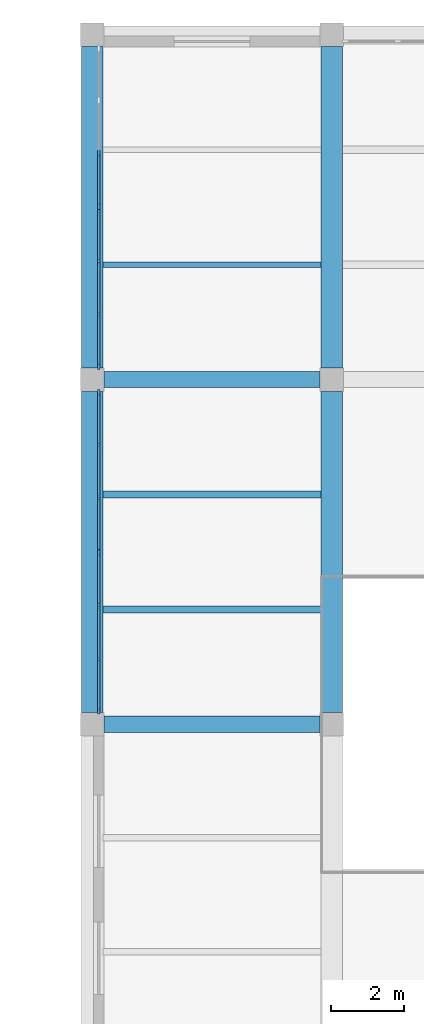
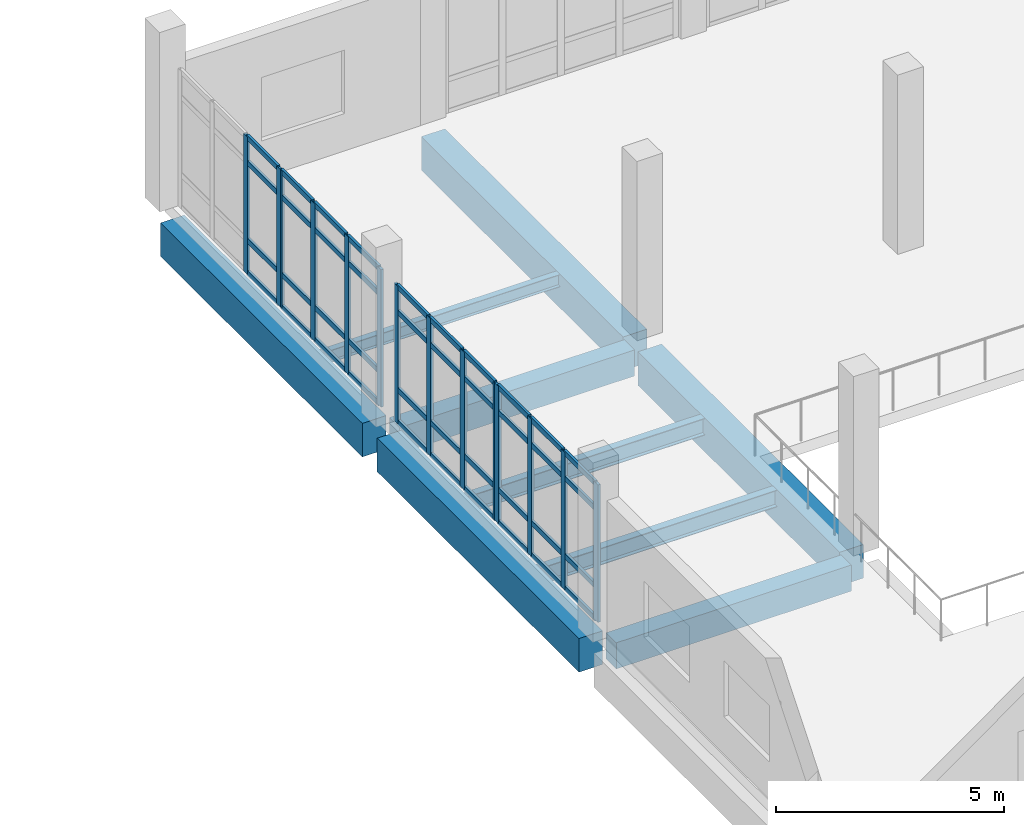
# One storey, part 28 of 73: 54 members, 9 beams, 4 elements without a shape of their own.
"""IFC4 building model written with IfcOpenShell, lengths in metres."""

from ifc_helpers import new_model, si_unit, direction, frame, origin, origin_2d, place, context, subcontext, project, spatial, rectangle, i_section, extrude, material, layer, layer_set, material_profile, profile_set, type_object, element, aggregate, save


model = new_model("IFC4")

# Units and contexts
model_context = context("Model", 3, precision=1e-05, world=origin(), true_north=direction((0.0, 1.0)))
body_context = subcontext(model_context, "Body", "Model", "MODEL_VIEW")
ifc_project = project(units=[si_unit("LENGTHUNIT", "METRE"), si_unit("AREAUNIT", "SQUARE_METRE"), si_unit("VOLUMEUNIT", "CUBIC_METRE"), si_unit("PLANEANGLEUNIT", "RADIAN"), si_unit("MASSUNIT", "GRAM", prefix="KILO")], contexts=[model_context])

# Site, building, storey
site_placement = place(None, origin())
site = spatial("IfcSite", under=ifc_project, at=site_placement, CompositionType="ELEMENT")
building_placement = place(site_placement, origin())
building = spatial("IfcBuilding", under=site, at=building_placement, Name="Kelarvand Opera House", CompositionType="ELEMENT")
storey_placement = place(building_placement, frame((0.0, 0.0, 10.199951171875)))
storey = spatial("IfcBuildingStorey", under=building, at=storey_placement, Name="L02", CompositionType="ELEMENT", Elevation=10.199951171875)

# Curtain wall, members
ifc_material_1 = material(Name="Thermally broken aluminium and low-E glazing", Category="aluminium")
ifc_layer = layer(ifc_material_1, 0.179931640625, Name="Thermally broken aluminium and low-E glazing", Category="aluminium")
ifc_layer_set = layer_set([ifc_layer], Name="Thermally broken aluminium and low-E glazing")
curtain_wall_type = type_object("IfcCurtainWallType", Name="Unitised Low-E Curtain Wall 4411x3680 Mod 1450 CWF-47", PredefinedType="USERDEFINED", material=ifc_layer_set)
curtain_wall_1_placement = place(storey_placement, origin())
curtain_wall_1 = element("IfcCurtainWall", 1, at=curtain_wall_1_placement, inside=storey, type_object=curtain_wall_type, Name="V5 L02 Curtain Wall CWF-47 (190)", ObjectType="UNITISED CURTAIN WALL", PredefinedType="USERDEFINED")
ifc_material_2 = material(Name="Thermally broken anodised aluminium", Category="aluminium")
ifc_material_profile_1 = material_profile(ifc_material_2, rectangle(XDim=0.06494140625, YDim=0.179931640625, at=origin_2d()), Name="ALU MULLION 65x180", Category="aluminium")
ifc_profile_set_1 = profile_set([ifc_material_profile_1], Name="Thermally broken anodised aluminium")
member_type_1 = type_object("IfcMemberType", Name="Curtain Wall Mullion 65x180 Aluminium", PredefinedType="MULLION", material=ifc_profile_set_1)
member_1_placement = place(storey_placement, frame((95.780029296875, 106.367431640625, 0.0), z_axis=(0.0, 0.0, 1.0), x_axis=(-1.0, 0.0, 0.0)))
member_1 = element("IfcMember", 2, at=member_1_placement, type_object=member_type_1, Name="CWF-47 mullion 1", PredefinedType="MULLION", context=body_context, shape_type="SweptSolid", body=[
    extrude(rectangle(XDim=0.06494140625, YDim=0.179931640625, at=origin_2d()), origin(), (0.0, 0.0, 1.0), 3.679931640625),
])
member_2_placement = place(storey_placement, frame((95.780029296875, 107.805419921875, 0.0), z_axis=(0.0, 0.0, 1.0), x_axis=(-1.0, 0.0, 0.0)))
member_2 = element("IfcMember", 3, at=member_2_placement, type_object=member_type_1, Name="CWF-47 mullion 2", PredefinedType="MULLION", context=body_context, shape_type="SweptSolid", body=[
    extrude(rectangle(XDim=0.06494140625, YDim=0.179931640625, at=origin_2d()), origin(), (0.0, 0.0, 1.0), 3.679931640625),
])
member_3_placement = place(storey_placement, frame((95.780029296875, 109.275634765625, 0.0), z_axis=(0.0, 0.0, 1.0), x_axis=(-1.0, 0.0, 0.0)))
member_3 = element("IfcMember", 4, at=member_3_placement, type_object=member_type_1, Name="CWF-47 mullion 3", PredefinedType="MULLION", context=body_context, shape_type="SweptSolid", body=[
    extrude(rectangle(XDim=0.06494140625, YDim=0.179931640625, at=origin_2d()), origin(), (0.0, 0.0, 1.0), 3.679931640625),
])
member_4_placement = place(storey_placement, frame((95.780029296875, 110.71337890625, 0.0), z_axis=(0.0, 0.0, 1.0), x_axis=(-1.0, 0.0, 0.0)))
member_4 = element("IfcMember", 5, at=member_4_placement, type_object=member_type_1, Name="CWF-47 mullion 4", PredefinedType="MULLION", context=body_context, shape_type="SweptSolid", body=[
    extrude(rectangle(XDim=0.06494140625, YDim=0.179931640625, at=origin_2d()), origin(), (0.0, 0.0, 1.0), 3.679931640625),
])

curtain_wall_2_placement = place(storey_placement, origin())
curtain_wall_2 = element("IfcCurtainWall", 6, at=curtain_wall_2_placement, inside=storey, type_object=curtain_wall_type, Name="V5 L02 Curtain Wall CWF-47 (191)", ObjectType="UNITISED CURTAIN WALL", PredefinedType="USERDEFINED")
member_5_placement = place(storey_placement, frame((95.780029296875, 110.782470703125, 0.0), z_axis=(0.0, 0.0, 1.0), x_axis=(-1.0, 0.0, 0.0)))
member_5 = element("IfcMember", 7, at=member_5_placement, type_object=member_type_1, Name="CWF-47 mullion 1", PredefinedType="MULLION", context=body_context, shape_type="SweptSolid", body=[
    extrude(rectangle(XDim=0.06494140625, YDim=0.179931640625, at=origin_2d()), origin(), (0.0, 0.0, 1.0), 3.679931640625),
])
member_6_placement = place(storey_placement, frame((95.780029296875, 112.2216796875, 0.0), z_axis=(0.0, 0.0, 1.0), x_axis=(-1.0, 0.0, 0.0)))
member_6 = element("IfcMember", 8, at=member_6_placement, type_object=member_type_1, Name="CWF-47 mullion 2", PredefinedType="MULLION", context=body_context, shape_type="SweptSolid", body=[
    extrude(rectangle(XDim=0.06494140625, YDim=0.179931640625, at=origin_2d()), origin(), (0.0, 0.0, 1.0), 3.679931640625),
])
member_7_placement = place(storey_placement, frame((95.780029296875, 113.693359375, 0.0), z_axis=(0.0, 0.0, 1.0), x_axis=(-1.0, 0.0, 0.0)))
member_7 = element("IfcMember", 9, at=member_7_placement, type_object=member_type_1, Name="CWF-47 mullion 3", PredefinedType="MULLION", context=body_context, shape_type="SweptSolid", body=[
    extrude(rectangle(XDim=0.06494140625, YDim=0.179931640625, at=origin_2d()), origin(), (0.0, 0.0, 1.0), 3.679931640625),
])
member_8_placement = place(storey_placement, frame((95.780029296875, 115.132568359375, 0.0), z_axis=(0.0, 0.0, 1.0), x_axis=(-1.0, 0.0, 0.0)))
member_8 = element("IfcMember", 10, at=member_8_placement, type_object=member_type_1, Name="CWF-47 mullion 4", PredefinedType="MULLION", context=body_context, shape_type="SweptSolid", body=[
    extrude(rectangle(XDim=0.06494140625, YDim=0.179931640625, at=origin_2d()), origin(), (0.0, 0.0, 1.0), 3.679931640625),
])

curtain_wall_3_placement = place(storey_placement, origin())
curtain_wall_3 = element("IfcCurtainWall", 11, at=curtain_wall_3_placement, inside=storey, type_object=curtain_wall_type, Name="V5 L02 Curtain Wall CWF-47 (192)", ObjectType="UNITISED CURTAIN WALL", PredefinedType="USERDEFINED")
member_9_placement = place(storey_placement, frame((95.780029296875, 115.867431640625, 0.0), z_axis=(0.0, 0.0, 1.0), x_axis=(-1.0, 0.0, 0.0)))
member_9 = element("IfcMember", 12, at=member_9_placement, type_object=member_type_1, Name="CWF-47 mullion 1", PredefinedType="MULLION", context=body_context, shape_type="SweptSolid", body=[
    extrude(rectangle(XDim=0.06494140625, YDim=0.179931640625, at=origin_2d()), origin(), (0.0, 0.0, 1.0), 3.679931640625),
])
member_10_placement = place(storey_placement, frame((95.780029296875, 117.305419921875, 0.0), z_axis=(0.0, 0.0, 1.0), x_axis=(-1.0, 0.0, 0.0)))
member_10 = element("IfcMember", 13, at=member_10_placement, type_object=member_type_1, Name="CWF-47 mullion 2", PredefinedType="MULLION", context=body_context, shape_type="SweptSolid", body=[
    extrude(rectangle(XDim=0.06494140625, YDim=0.179931640625, at=origin_2d()), origin(), (0.0, 0.0, 1.0), 3.679931640625),
])
member_11_placement = place(storey_placement, frame((95.780029296875, 118.775634765625, 0.0), z_axis=(0.0, 0.0, 1.0), x_axis=(-1.0, 0.0, 0.0)))
member_11 = element("IfcMember", 14, at=member_11_placement, type_object=member_type_1, Name="CWF-47 mullion 3", PredefinedType="MULLION", context=body_context, shape_type="SweptSolid", body=[
    extrude(rectangle(XDim=0.06494140625, YDim=0.179931640625, at=origin_2d()), origin(), (0.0, 0.0, 1.0), 3.679931640625),
])
member_12_placement = place(storey_placement, frame((95.780029296875, 120.21337890625, 0.0), z_axis=(0.0, 0.0, 1.0), x_axis=(-1.0, 0.0, 0.0)))
member_12 = element("IfcMember", 15, at=member_12_placement, type_object=member_type_1, Name="CWF-47 mullion 4", PredefinedType="MULLION", context=body_context, shape_type="SweptSolid", body=[
    extrude(rectangle(XDim=0.06494140625, YDim=0.179931640625, at=origin_2d()), origin(), (0.0, 0.0, 1.0), 3.679931640625),
])

curtain_wall_4_placement = place(storey_placement, origin())
curtain_wall_4 = element("IfcCurtainWall", 16, at=curtain_wall_4_placement, inside=storey, type_object=curtain_wall_type, Name="V5 L02 Curtain Wall CWF-47 (193)", ObjectType="UNITISED CURTAIN WALL", PredefinedType="USERDEFINED")
member_13_placement = place(storey_placement, frame((95.780029296875, 120.282470703125, 0.0), z_axis=(0.0, 0.0, 1.0), x_axis=(-1.0, 0.0, 0.0)))
member_13 = element("IfcMember", 17, at=member_13_placement, type_object=member_type_1, Name="CWF-47 mullion 1", PredefinedType="MULLION", context=body_context, shape_type="SweptSolid", body=[
    extrude(rectangle(XDim=0.06494140625, YDim=0.179931640625, at=origin_2d()), origin(), (0.0, 0.0, 1.0), 3.679931640625),
])
member_14_placement = place(storey_placement, frame((95.780029296875, 121.7216796875, 0.0), z_axis=(0.0, 0.0, 1.0), x_axis=(-1.0, 0.0, 0.0)))
member_14 = element("IfcMember", 18, at=member_14_placement, type_object=member_type_1, Name="CWF-47 mullion 2", PredefinedType="MULLION", context=body_context, shape_type="SweptSolid", body=[
    extrude(rectangle(XDim=0.06494140625, YDim=0.179931640625, at=origin_2d()), origin(), (0.0, 0.0, 1.0), 3.679931640625),
])

# Member
ifc_material_profile_2 = material_profile(ifc_material_2, rectangle(XDim=0.06494140625, YDim=0.139892578125, at=origin_2d()), Name="ALU TRANSOM 65x140", Category="aluminium")
ifc_profile_set_2 = profile_set([ifc_material_profile_2], Name="Thermally broken anodised aluminium")
member_type_2 = type_object("IfcMemberType", Name="Curtain Wall Transom 65x140 Aluminium", PredefinedType="USERDEFINED", material=ifc_profile_set_2)
member_15_placement = place(storey_placement, frame((95.780029296875, 106.39990234375, 0.032470703125), z_axis=(0.0, 1.0, 0.0), x_axis=(-1.0, 0.0, 0.0)))
member_15 = element("IfcMember", 19, at=member_15_placement, type_object=member_type_2, Name="CWF-47 transom 1.1", ObjectType="TRANSOM", PredefinedType="USERDEFINED", context=body_context, shape_type="SweptSolid", body=[
    extrude(rectangle(XDim=0.06494140625, YDim=0.139892578125, at=origin_2d()), origin(), (0.0, 0.0, 1.0), 1.373046875),
])

member_16_placement = place(storey_placement, frame((95.780029296875, 106.39990234375, 0.900146484375), z_axis=(0.0, 1.0, 0.0), x_axis=(-1.0, 0.0, 0.0)))
member_16 = element("IfcMember", 20, at=member_16_placement, type_object=member_type_2, Name="CWF-47 transom 1.2", ObjectType="TRANSOM", PredefinedType="USERDEFINED", context=body_context, shape_type="SweptSolid", body=[
    extrude(rectangle(XDim=0.06494140625, YDim=0.139892578125, at=origin_2d()), origin(), (0.0, 0.0, 1.0), 1.373046875),
])

member_17_placement = place(storey_placement, frame((95.780029296875, 106.39990234375, 2.97998046875), z_axis=(0.0, 1.0, 0.0), x_axis=(-1.0, 0.0, 0.0)))
member_17 = element("IfcMember", 21, at=member_17_placement, type_object=member_type_2, Name="CWF-47 transom 1.3", ObjectType="TRANSOM", PredefinedType="USERDEFINED", context=body_context, shape_type="SweptSolid", body=[
    extrude(rectangle(XDim=0.06494140625, YDim=0.139892578125, at=origin_2d()), origin(), (0.0, 0.0, 1.0), 1.373046875),
])

member_18_placement = place(storey_placement, frame((95.780029296875, 106.39990234375, 3.6474609375), z_axis=(0.0, 1.0, 0.0), x_axis=(-1.0, 0.0, 0.0)))
member_18 = element("IfcMember", 22, at=member_18_placement, type_object=member_type_2, Name="CWF-47 transom 1.4", ObjectType="TRANSOM", PredefinedType="USERDEFINED", context=body_context, shape_type="SweptSolid", body=[
    extrude(rectangle(XDim=0.06494140625, YDim=0.139892578125, at=origin_2d()), origin(), (0.0, 0.0, 1.0), 1.373046875),
])

member_19_placement = place(storey_placement, frame((95.780029296875, 107.837890625, 0.032470703125), z_axis=(0.0, 1.0, 0.0), x_axis=(-1.0, 0.0, 0.0)))
member_19 = element("IfcMember", 23, at=member_19_placement, type_object=member_type_2, Name="CWF-47 transom 2.1", ObjectType="TRANSOM", PredefinedType="USERDEFINED", context=body_context, shape_type="SweptSolid", body=[
    extrude(rectangle(XDim=0.06494140625, YDim=0.139892578125, at=origin_2d()), origin(), (0.0, 0.0, 1.0), 1.4052734375),
])

member_20_placement = place(storey_placement, frame((95.780029296875, 107.837890625, 0.900146484375), z_axis=(0.0, 1.0, 0.0), x_axis=(-1.0, 0.0, 0.0)))
member_20 = element("IfcMember", 24, at=member_20_placement, type_object=member_type_2, Name="CWF-47 transom 2.2", ObjectType="TRANSOM", PredefinedType="USERDEFINED", context=body_context, shape_type="SweptSolid", body=[
    extrude(rectangle(XDim=0.06494140625, YDim=0.139892578125, at=origin_2d()), origin(), (0.0, 0.0, 1.0), 1.4052734375),
])

member_21_placement = place(storey_placement, frame((95.780029296875, 107.837890625, 2.97998046875), z_axis=(0.0, 1.0, 0.0), x_axis=(-1.0, 0.0, 0.0)))
member_21 = element("IfcMember", 25, at=member_21_placement, type_object=member_type_2, Name="CWF-47 transom 2.3", ObjectType="TRANSOM", PredefinedType="USERDEFINED", context=body_context, shape_type="SweptSolid", body=[
    extrude(rectangle(XDim=0.06494140625, YDim=0.139892578125, at=origin_2d()), origin(), (0.0, 0.0, 1.0), 1.4052734375),
])

member_22_placement = place(storey_placement, frame((95.780029296875, 107.837890625, 3.6474609375), z_axis=(0.0, 1.0, 0.0), x_axis=(-1.0, 0.0, 0.0)))
member_22 = element("IfcMember", 26, at=member_22_placement, type_object=member_type_2, Name="CWF-47 transom 2.4", ObjectType="TRANSOM", PredefinedType="USERDEFINED", context=body_context, shape_type="SweptSolid", body=[
    extrude(rectangle(XDim=0.06494140625, YDim=0.139892578125, at=origin_2d()), origin(), (0.0, 0.0, 1.0), 1.4052734375),
])

member_23_placement = place(storey_placement, frame((95.780029296875, 109.30810546875, 0.032470703125), z_axis=(0.0, 1.0, 0.0), x_axis=(-1.0, 0.0, 0.0)))
member_23 = element("IfcMember", 27, at=member_23_placement, type_object=member_type_2, Name="CWF-47 transom 3.1", ObjectType="TRANSOM", PredefinedType="USERDEFINED", context=body_context, shape_type="SweptSolid", body=[
    extrude(rectangle(XDim=0.06494140625, YDim=0.139892578125, at=origin_2d()), origin(), (0.0, 0.0, 1.0), 1.372802734375),
])

member_24_placement = place(storey_placement, frame((95.780029296875, 109.30810546875, 0.900146484375), z_axis=(0.0, 1.0, 0.0), x_axis=(-1.0, 0.0, 0.0)))
member_24 = element("IfcMember", 28, at=member_24_placement, type_object=member_type_2, Name="CWF-47 transom 3.2", ObjectType="TRANSOM", PredefinedType="USERDEFINED", context=body_context, shape_type="SweptSolid", body=[
    extrude(rectangle(XDim=0.06494140625, YDim=0.139892578125, at=origin_2d()), origin(), (0.0, 0.0, 1.0), 1.372802734375),
])

member_25_placement = place(storey_placement, frame((95.780029296875, 109.30810546875, 2.97998046875), z_axis=(0.0, 1.0, 0.0), x_axis=(-1.0, 0.0, 0.0)))
member_25 = element("IfcMember", 29, at=member_25_placement, type_object=member_type_2, Name="CWF-47 transom 3.3", ObjectType="TRANSOM", PredefinedType="USERDEFINED", context=body_context, shape_type="SweptSolid", body=[
    extrude(rectangle(XDim=0.06494140625, YDim=0.139892578125, at=origin_2d()), origin(), (0.0, 0.0, 1.0), 1.372802734375),
])

member_26_placement = place(storey_placement, frame((95.780029296875, 109.30810546875, 3.6474609375), z_axis=(0.0, 1.0, 0.0), x_axis=(-1.0, 0.0, 0.0)))
member_26 = element("IfcMember", 30, at=member_26_placement, type_object=member_type_2, Name="CWF-47 transom 3.4", ObjectType="TRANSOM", PredefinedType="USERDEFINED", context=body_context, shape_type="SweptSolid", body=[
    extrude(rectangle(XDim=0.06494140625, YDim=0.139892578125, at=origin_2d()), origin(), (0.0, 0.0, 1.0), 1.372802734375),
])

aggregate(curtain_wall_1, [member_1, member_2, member_3, member_4, member_15, member_16, member_17, member_18, member_19, member_20, member_21, member_22, member_23, member_24, member_25, member_26])

member_27_placement = place(storey_placement, frame((95.780029296875, 110.81494140625, 0.032470703125), z_axis=(0.0, 1.0, 0.0), x_axis=(-1.0, 0.0, 0.0)))
member_27 = element("IfcMember", 31, at=member_27_placement, type_object=member_type_2, Name="CWF-47 transom 1.1", ObjectType="TRANSOM", PredefinedType="USERDEFINED", context=body_context, shape_type="SweptSolid", body=[
    extrude(rectangle(XDim=0.06494140625, YDim=0.139892578125, at=origin_2d()), origin(), (0.0, 0.0, 1.0), 1.374267578125),
])

member_28_placement = place(storey_placement, frame((95.780029296875, 110.81494140625, 0.900146484375), z_axis=(0.0, 1.0, 0.0), x_axis=(-1.0, 0.0, 0.0)))
member_28 = element("IfcMember", 32, at=member_28_placement, type_object=member_type_2, Name="CWF-47 transom 1.2", ObjectType="TRANSOM", PredefinedType="USERDEFINED", context=body_context, shape_type="SweptSolid", body=[
    extrude(rectangle(XDim=0.06494140625, YDim=0.139892578125, at=origin_2d()), origin(), (0.0, 0.0, 1.0), 1.374267578125),
])

member_29_placement = place(storey_placement, frame((95.780029296875, 110.81494140625, 2.97998046875), z_axis=(0.0, 1.0, 0.0), x_axis=(-1.0, 0.0, 0.0)))
member_29 = element("IfcMember", 33, at=member_29_placement, type_object=member_type_2, Name="CWF-47 transom 1.3", ObjectType="TRANSOM", PredefinedType="USERDEFINED", context=body_context, shape_type="SweptSolid", body=[
    extrude(rectangle(XDim=0.06494140625, YDim=0.139892578125, at=origin_2d()), origin(), (0.0, 0.0, 1.0), 1.374267578125),
])

member_30_placement = place(storey_placement, frame((95.780029296875, 110.81494140625, 3.6474609375), z_axis=(0.0, 1.0, 0.0), x_axis=(-1.0, 0.0, 0.0)))
member_30 = element("IfcMember", 34, at=member_30_placement, type_object=member_type_2, Name="CWF-47 transom 1.4", ObjectType="TRANSOM", PredefinedType="USERDEFINED", context=body_context, shape_type="SweptSolid", body=[
    extrude(rectangle(XDim=0.06494140625, YDim=0.139892578125, at=origin_2d()), origin(), (0.0, 0.0, 1.0), 1.374267578125),
])

member_31_placement = place(storey_placement, frame((95.780029296875, 112.254150390625, 0.032470703125), z_axis=(0.0, 1.0, 0.0), x_axis=(-1.0, 0.0, 0.0)))
member_31 = element("IfcMember", 35, at=member_31_placement, type_object=member_type_2, Name="CWF-47 transom 2.1", ObjectType="TRANSOM", PredefinedType="USERDEFINED", context=body_context, shape_type="SweptSolid", body=[
    extrude(rectangle(XDim=0.06494140625, YDim=0.139892578125, at=origin_2d()), origin(), (0.0, 0.0, 1.0), 1.40673828125),
])

member_32_placement = place(storey_placement, frame((95.780029296875, 112.254150390625, 0.900146484375), z_axis=(0.0, 1.0, 0.0), x_axis=(-1.0, 0.0, 0.0)))
member_32 = element("IfcMember", 36, at=member_32_placement, type_object=member_type_2, Name="CWF-47 transom 2.2", ObjectType="TRANSOM", PredefinedType="USERDEFINED", context=body_context, shape_type="SweptSolid", body=[
    extrude(rectangle(XDim=0.06494140625, YDim=0.139892578125, at=origin_2d()), origin(), (0.0, 0.0, 1.0), 1.40673828125),
])

member_33_placement = place(storey_placement, frame((95.780029296875, 112.254150390625, 2.97998046875), z_axis=(0.0, 1.0, 0.0), x_axis=(-1.0, 0.0, 0.0)))
member_33 = element("IfcMember", 37, at=member_33_placement, type_object=member_type_2, Name="CWF-47 transom 2.3", ObjectType="TRANSOM", PredefinedType="USERDEFINED", context=body_context, shape_type="SweptSolid", body=[
    extrude(rectangle(XDim=0.06494140625, YDim=0.139892578125, at=origin_2d()), origin(), (0.0, 0.0, 1.0), 1.40673828125),
])

member_34_placement = place(storey_placement, frame((95.780029296875, 112.254150390625, 3.6474609375), z_axis=(0.0, 1.0, 0.0), x_axis=(-1.0, 0.0, 0.0)))
member_34 = element("IfcMember", 38, at=member_34_placement, type_object=member_type_2, Name="CWF-47 transom 2.4", ObjectType="TRANSOM", PredefinedType="USERDEFINED", context=body_context, shape_type="SweptSolid", body=[
    extrude(rectangle(XDim=0.06494140625, YDim=0.139892578125, at=origin_2d()), origin(), (0.0, 0.0, 1.0), 1.40673828125),
])

member_35_placement = place(storey_placement, frame((95.780029296875, 113.725830078125, 0.032470703125), z_axis=(0.0, 1.0, 0.0), x_axis=(-1.0, 0.0, 0.0)))
member_35 = element("IfcMember", 39, at=member_35_placement, type_object=member_type_2, Name="CWF-47 transom 3.1", ObjectType="TRANSOM", PredefinedType="USERDEFINED", context=body_context, shape_type="SweptSolid", body=[
    extrude(rectangle(XDim=0.06494140625, YDim=0.139892578125, at=origin_2d()), origin(), (0.0, 0.0, 1.0), 1.374267578125),
])

member_36_placement = place(storey_placement, frame((95.780029296875, 113.725830078125, 0.900146484375), z_axis=(0.0, 1.0, 0.0), x_axis=(-1.0, 0.0, 0.0)))
member_36 = element("IfcMember", 40, at=member_36_placement, type_object=member_type_2, Name="CWF-47 transom 3.2", ObjectType="TRANSOM", PredefinedType="USERDEFINED", context=body_context, shape_type="SweptSolid", body=[
    extrude(rectangle(XDim=0.06494140625, YDim=0.139892578125, at=origin_2d()), origin(), (0.0, 0.0, 1.0), 1.374267578125),
])

member_37_placement = place(storey_placement, frame((95.780029296875, 113.725830078125, 2.97998046875), z_axis=(0.0, 1.0, 0.0), x_axis=(-1.0, 0.0, 0.0)))
member_37 = element("IfcMember", 41, at=member_37_placement, type_object=member_type_2, Name="CWF-47 transom 3.3", ObjectType="TRANSOM", PredefinedType="USERDEFINED", context=body_context, shape_type="SweptSolid", body=[
    extrude(rectangle(XDim=0.06494140625, YDim=0.139892578125, at=origin_2d()), origin(), (0.0, 0.0, 1.0), 1.374267578125),
])

member_38_placement = place(storey_placement, frame((95.780029296875, 113.725830078125, 3.6474609375), z_axis=(0.0, 1.0, 0.0), x_axis=(-1.0, 0.0, 0.0)))
member_38 = element("IfcMember", 42, at=member_38_placement, type_object=member_type_2, Name="CWF-47 transom 3.4", ObjectType="TRANSOM", PredefinedType="USERDEFINED", context=body_context, shape_type="SweptSolid", body=[
    extrude(rectangle(XDim=0.06494140625, YDim=0.139892578125, at=origin_2d()), origin(), (0.0, 0.0, 1.0), 1.374267578125),
])

aggregate(curtain_wall_2, [member_5, member_6, member_7, member_8, member_27, member_28, member_29, member_30, member_31, member_32, member_33, member_34, member_35, member_36, member_37, member_38])

member_39_placement = place(storey_placement, frame((95.780029296875, 115.89990234375, 0.032470703125), z_axis=(0.0, 1.0, 0.0), x_axis=(-1.0, 0.0, 0.0)))
member_39 = element("IfcMember", 43, at=member_39_placement, type_object=member_type_2, Name="CWF-47 transom 1.1", ObjectType="TRANSOM", PredefinedType="USERDEFINED", context=body_context, shape_type="SweptSolid", body=[
    extrude(rectangle(XDim=0.06494140625, YDim=0.139892578125, at=origin_2d()), origin(), (0.0, 0.0, 1.0), 1.373046875),
])

member_40_placement = place(storey_placement, frame((95.780029296875, 115.89990234375, 0.900146484375), z_axis=(0.0, 1.0, 0.0), x_axis=(-1.0, 0.0, 0.0)))
member_40 = element("IfcMember", 44, at=member_40_placement, type_object=member_type_2, Name="CWF-47 transom 1.2", ObjectType="TRANSOM", PredefinedType="USERDEFINED", context=body_context, shape_type="SweptSolid", body=[
    extrude(rectangle(XDim=0.06494140625, YDim=0.139892578125, at=origin_2d()), origin(), (0.0, 0.0, 1.0), 1.373046875),
])

member_41_placement = place(storey_placement, frame((95.780029296875, 115.89990234375, 2.97998046875), z_axis=(0.0, 1.0, 0.0), x_axis=(-1.0, 0.0, 0.0)))
member_41 = element("IfcMember", 45, at=member_41_placement, type_object=member_type_2, Name="CWF-47 transom 1.3", ObjectType="TRANSOM", PredefinedType="USERDEFINED", context=body_context, shape_type="SweptSolid", body=[
    extrude(rectangle(XDim=0.06494140625, YDim=0.139892578125, at=origin_2d()), origin(), (0.0, 0.0, 1.0), 1.373046875),
])

member_42_placement = place(storey_placement, frame((95.780029296875, 115.89990234375, 3.6474609375), z_axis=(0.0, 1.0, 0.0), x_axis=(-1.0, 0.0, 0.0)))
member_42 = element("IfcMember", 46, at=member_42_placement, type_object=member_type_2, Name="CWF-47 transom 1.4", ObjectType="TRANSOM", PredefinedType="USERDEFINED", context=body_context, shape_type="SweptSolid", body=[
    extrude(rectangle(XDim=0.06494140625, YDim=0.139892578125, at=origin_2d()), origin(), (0.0, 0.0, 1.0), 1.373046875),
])

member_43_placement = place(storey_placement, frame((95.780029296875, 117.337890625, 0.032470703125), z_axis=(0.0, 1.0, 0.0), x_axis=(-1.0, 0.0, 0.0)))
member_43 = element("IfcMember", 47, at=member_43_placement, type_object=member_type_2, Name="CWF-47 transom 2.1", ObjectType="TRANSOM", PredefinedType="USERDEFINED", context=body_context, shape_type="SweptSolid", body=[
    extrude(rectangle(XDim=0.06494140625, YDim=0.139892578125, at=origin_2d()), origin(), (0.0, 0.0, 1.0), 1.4052734375),
])

member_44_placement = place(storey_placement, frame((95.780029296875, 117.337890625, 0.900146484375), z_axis=(0.0, 1.0, 0.0), x_axis=(-1.0, 0.0, 0.0)))
member_44 = element("IfcMember", 48, at=member_44_placement, type_object=member_type_2, Name="CWF-47 transom 2.2", ObjectType="TRANSOM", PredefinedType="USERDEFINED", context=body_context, shape_type="SweptSolid", body=[
    extrude(rectangle(XDim=0.06494140625, YDim=0.139892578125, at=origin_2d()), origin(), (0.0, 0.0, 1.0), 1.4052734375),
])

member_45_placement = place(storey_placement, frame((95.780029296875, 117.337890625, 2.97998046875), z_axis=(0.0, 1.0, 0.0), x_axis=(-1.0, 0.0, 0.0)))
member_45 = element("IfcMember", 49, at=member_45_placement, type_object=member_type_2, Name="CWF-47 transom 2.3", ObjectType="TRANSOM", PredefinedType="USERDEFINED", context=body_context, shape_type="SweptSolid", body=[
    extrude(rectangle(XDim=0.06494140625, YDim=0.139892578125, at=origin_2d()), origin(), (0.0, 0.0, 1.0), 1.4052734375),
])

member_46_placement = place(storey_placement, frame((95.780029296875, 117.337890625, 3.6474609375), z_axis=(0.0, 1.0, 0.0), x_axis=(-1.0, 0.0, 0.0)))
member_46 = element("IfcMember", 50, at=member_46_placement, type_object=member_type_2, Name="CWF-47 transom 2.4", ObjectType="TRANSOM", PredefinedType="USERDEFINED", context=body_context, shape_type="SweptSolid", body=[
    extrude(rectangle(XDim=0.06494140625, YDim=0.139892578125, at=origin_2d()), origin(), (0.0, 0.0, 1.0), 1.4052734375),
])

member_47_placement = place(storey_placement, frame((95.780029296875, 118.80810546875, 0.032470703125), z_axis=(0.0, 1.0, 0.0), x_axis=(-1.0, 0.0, 0.0)))
member_47 = element("IfcMember", 51, at=member_47_placement, type_object=member_type_2, Name="CWF-47 transom 3.1", ObjectType="TRANSOM", PredefinedType="USERDEFINED", context=body_context, shape_type="SweptSolid", body=[
    extrude(rectangle(XDim=0.06494140625, YDim=0.139892578125, at=origin_2d()), origin(), (0.0, 0.0, 1.0), 1.372802734375),
])

member_48_placement = place(storey_placement, frame((95.780029296875, 118.80810546875, 0.900146484375), z_axis=(0.0, 1.0, 0.0), x_axis=(-1.0, 0.0, 0.0)))
member_48 = element("IfcMember", 52, at=member_48_placement, type_object=member_type_2, Name="CWF-47 transom 3.2", ObjectType="TRANSOM", PredefinedType="USERDEFINED", context=body_context, shape_type="SweptSolid", body=[
    extrude(rectangle(XDim=0.06494140625, YDim=0.139892578125, at=origin_2d()), origin(), (0.0, 0.0, 1.0), 1.372802734375),
])

member_49_placement = place(storey_placement, frame((95.780029296875, 118.80810546875, 2.97998046875), z_axis=(0.0, 1.0, 0.0), x_axis=(-1.0, 0.0, 0.0)))
member_49 = element("IfcMember", 53, at=member_49_placement, type_object=member_type_2, Name="CWF-47 transom 3.3", ObjectType="TRANSOM", PredefinedType="USERDEFINED", context=body_context, shape_type="SweptSolid", body=[
    extrude(rectangle(XDim=0.06494140625, YDim=0.139892578125, at=origin_2d()), origin(), (0.0, 0.0, 1.0), 1.372802734375),
])

member_50_placement = place(storey_placement, frame((95.780029296875, 118.80810546875, 3.6474609375), z_axis=(0.0, 1.0, 0.0), x_axis=(-1.0, 0.0, 0.0)))
member_50 = element("IfcMember", 54, at=member_50_placement, type_object=member_type_2, Name="CWF-47 transom 3.4", ObjectType="TRANSOM", PredefinedType="USERDEFINED", context=body_context, shape_type="SweptSolid", body=[
    extrude(rectangle(XDim=0.06494140625, YDim=0.139892578125, at=origin_2d()), origin(), (0.0, 0.0, 1.0), 1.372802734375),
])

aggregate(curtain_wall_3, [member_9, member_10, member_11, member_12, member_39, member_40, member_41, member_42, member_43, member_44, member_45, member_46, member_47, member_48, member_49, member_50])

member_51_placement = place(storey_placement, frame((95.780029296875, 120.31494140625, 0.032470703125), z_axis=(0.0, 1.0, 0.0), x_axis=(-1.0, 0.0, 0.0)))
member_51 = element("IfcMember", 55, at=member_51_placement, type_object=member_type_2, Name="CWF-47 transom 1.1", ObjectType="TRANSOM", PredefinedType="USERDEFINED", context=body_context, shape_type="SweptSolid", body=[
    extrude(rectangle(XDim=0.06494140625, YDim=0.139892578125, at=origin_2d()), origin(), (0.0, 0.0, 1.0), 1.374267578125),
])

member_52_placement = place(storey_placement, frame((95.780029296875, 120.31494140625, 0.900146484375), z_axis=(0.0, 1.0, 0.0), x_axis=(-1.0, 0.0, 0.0)))
member_52 = element("IfcMember", 56, at=member_52_placement, type_object=member_type_2, Name="CWF-47 transom 1.2", ObjectType="TRANSOM", PredefinedType="USERDEFINED", context=body_context, shape_type="SweptSolid", body=[
    extrude(rectangle(XDim=0.06494140625, YDim=0.139892578125, at=origin_2d()), origin(), (0.0, 0.0, 1.0), 1.374267578125),
])

member_53_placement = place(storey_placement, frame((95.780029296875, 120.31494140625, 2.97998046875), z_axis=(0.0, 1.0, 0.0), x_axis=(-1.0, 0.0, 0.0)))
member_53 = element("IfcMember", 57, at=member_53_placement, type_object=member_type_2, Name="CWF-47 transom 1.3", ObjectType="TRANSOM", PredefinedType="USERDEFINED", context=body_context, shape_type="SweptSolid", body=[
    extrude(rectangle(XDim=0.06494140625, YDim=0.139892578125, at=origin_2d()), origin(), (0.0, 0.0, 1.0), 1.374267578125),
])

member_54_placement = place(storey_placement, frame((95.780029296875, 120.31494140625, 3.6474609375), z_axis=(0.0, 1.0, 0.0), x_axis=(-1.0, 0.0, 0.0)))
member_54 = element("IfcMember", 58, at=member_54_placement, type_object=member_type_2, Name="CWF-47 transom 1.4", ObjectType="TRANSOM", PredefinedType="USERDEFINED", context=body_context, shape_type="SweptSolid", body=[
    extrude(rectangle(XDim=0.06494140625, YDim=0.139892578125, at=origin_2d()), origin(), (0.0, 0.0, 1.0), 1.374267578125),
])

aggregate(curtain_wall_4, [member_13, member_14, member_51, member_52, member_53, member_54])

# Beams
ifc_material_3 = material(Name="Concrete C40/50", Category="concrete")
ifc_material_profile_3 = material_profile(ifc_material_3, rectangle(XDim=0.449951171875, YDim=0.699951171875, at=origin_2d()), Name="RC 450x700", Category="concrete")
ifc_profile_set_3 = profile_set([ifc_material_profile_3], Name="Concrete C40/50")
beam_type_1 = type_object("IfcBeamType", Name="Structural Beam RC 450x700 BM-RC450x700", PredefinedType="BEAM", material=ifc_profile_set_3)
for number, where, z_axis, x_axis, name in (
    (59, (95.925048828125, 106.0, -0.64990234375), (1.0, 0.0, 0.0), (0.0, 1.0, 0.0), "V5 L02 Beam BM-RC450x700"),
    (60, (95.925048828125, 115.5, -0.64990234375), (1.0, 0.0, 0.0), (0.0, 1.0, 0.0), "V5 L02 Beam BM-RC450x700"),
):
    element("IfcBeam", number, at=place(storey_placement, frame(where, z_axis=z_axis, x_axis=x_axis)), inside=storey, type_object=beam_type_1, Name=name, PredefinedType="BEAM", context=body_context, shape_type="SweptSolid", body=[
        extrude(rectangle(XDim=0.449951171875, YDim=0.699951171875, at=origin_2d()), origin(), (0.0, 0.0, 1.0), 5.949951171875),
    ])
ifc_material_profile_4 = material_profile(ifc_material_3, rectangle(XDim=0.60009765625, YDim=0.89990234375, at=origin_2d()), Name="RC 600x900", Category="concrete")
ifc_profile_set_4 = profile_set([ifc_material_profile_4], Name="Concrete C40/50")
beam_type_2 = type_object("IfcBeamType", Name="Structural Beam RC 600x900 BM-RC600x900", PredefinedType="BEAM", material=ifc_profile_set_4)
for number, where, z_axis, x_axis, name in (
    (61, (102.199951171875, 106.324951171875, -0.75), (0.0, 1.0, 0.0), (-1.0, 0.0, 0.0), "V5 L02 Beam BM-RC600x900"),
    (62, (102.199951171875, 115.824951171875, -0.75), (0.0, 1.0, 0.0), (-1.0, 0.0, 0.0), "V5 L02 Beam BM-RC600x900"),
):
    element("IfcBeam", number, at=place(storey_placement, frame(where, z_axis=z_axis, x_axis=x_axis)), inside=storey, type_object=beam_type_2, Name=name, PredefinedType="BEAM", context=body_context, shape_type="SweptSolid", body=[
        extrude(rectangle(XDim=0.60009765625, YDim=0.89990234375, at=origin_2d()), origin(), (0.0, 0.0, 1.0), 8.85009765625),
    ])
ifc_material_4 = material(Name="Steel S355", Category="steel")
ifc_material_profile_5 = material_profile(ifc_material_4, i_section(OverallWidth=0.159912109375, OverallDepth=0.330078125, WebThickness=0.007568359375, FlangeThickness=0.011474609375, at=origin_2d()), Name="IPE 330", Category="steel")
ifc_profile_set_5 = profile_set([ifc_material_profile_5], Name="Steel S355")
beam_type_3 = type_object("IfcBeamType", Name="Structural Joist IPE 330 JS-IPE330", PredefinedType="JOIST", material=ifc_profile_set_5)
beam_placement = place(storey_placement, frame((95.89990234375, 118.666748046875, -0.46484375), z_axis=(1.0, 0.0, 0.0), x_axis=(0.0, 1.0, 0.0)))
element("IfcBeam", 63, at=beam_placement, inside=storey, type_object=beam_type_3, Name="V5 L02 Beam JS-IPE330", PredefinedType="JOIST", context=body_context, shape_type="SweptSolid", body=[
    extrude(i_section(OverallWidth=0.159912109375, OverallDepth=0.330078125, WebThickness=0.007568359375, FlangeThickness=0.011474609375, at=origin_2d()), origin(), (0.0, 0.0, 1.0), 6.0),
])
ifc_material_profile_6 = material_profile(ifc_material_4, i_section(OverallWidth=0.18994140625, OverallDepth=0.449951171875, WebThickness=0.009521484375, FlangeThickness=0.0146484375, at=origin_2d()), Name="IPE 450", Category="steel")
ifc_profile_set_6 = profile_set([ifc_material_profile_6], Name="Steel S355")
beam_type_4 = type_object("IfcBeamType", Name="Structural Joist IPE 450 JS-IPE450", PredefinedType="JOIST", material=ifc_profile_set_6)
for number, where, z_axis, x_axis, name in (
    (64, (95.89990234375, 109.166748046875, -0.52490234375), (1.0, 0.0, 0.0), (0.0, 1.0, 0.0), "V5 L02 Beam JS-IPE450"),
    (65, (95.89990234375, 112.333251953125, -0.52490234375), (1.0, 0.0, 0.0), (0.0, 1.0, 0.0), "V5 L02 Beam JS-IPE450"),
):
    element("IfcBeam", number, at=place(storey_placement, frame(where, z_axis=z_axis, x_axis=x_axis)), inside=storey, type_object=beam_type_4, Name=name, PredefinedType="JOIST", context=body_context, shape_type="SweptSolid", body=[
        extrude(i_section(OverallWidth=0.18994140625, OverallDepth=0.449951171875, WebThickness=0.009521484375, FlangeThickness=0.0146484375, at=origin_2d()), origin(), (0.0, 0.0, 1.0), 6.0),
    ])
ifc_material_profile_7 = material_profile(ifc_material_3, rectangle(XDim=0.60009765625, YDim=0.89990234375, at=origin_2d()), Name="RC 600x900", Category="concrete")
ifc_profile_set_7 = profile_set([ifc_material_profile_7], Name="Concrete C40/50")
beam_type_5 = type_object("IfcBeamType", Name="Structural Spandrel RC 600x900 SP-RC600x900E", PredefinedType="SPANDREL", material=ifc_profile_set_7)
for number, where, z_axis, x_axis, name in (
    (66, (95.60009765625, 106.324951171875, -0.75), (0.0, 1.0, 0.0), (-1.0, 0.0, 0.0), "V5 L02 Beam SP-RC600x900E"),
    (67, (95.60009765625, 115.824951171875, -0.75), (0.0, 1.0, 0.0), (-1.0, 0.0, 0.0), "V5 L02 Beam SP-RC600x900E"),
):
    element("IfcBeam", number, at=place(storey_placement, frame(where, z_axis=z_axis, x_axis=x_axis)), inside=storey, type_object=beam_type_5, Name=name, PredefinedType="SPANDREL", context=body_context, shape_type="SweptSolid", body=[
        extrude(rectangle(XDim=0.60009765625, YDim=0.89990234375, at=origin_2d()), origin(), (0.0, 0.0, 1.0), 8.85009765625),
    ])

save(model, "model.ifc")
